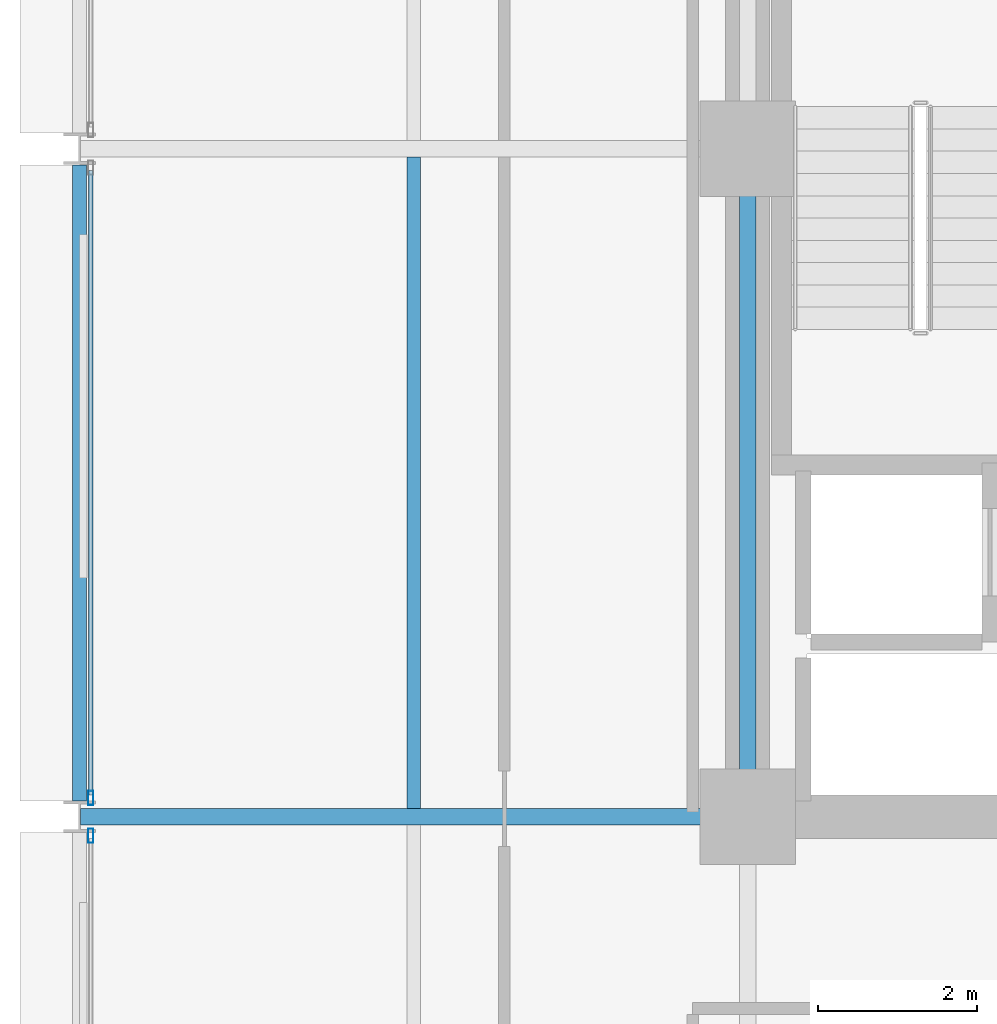
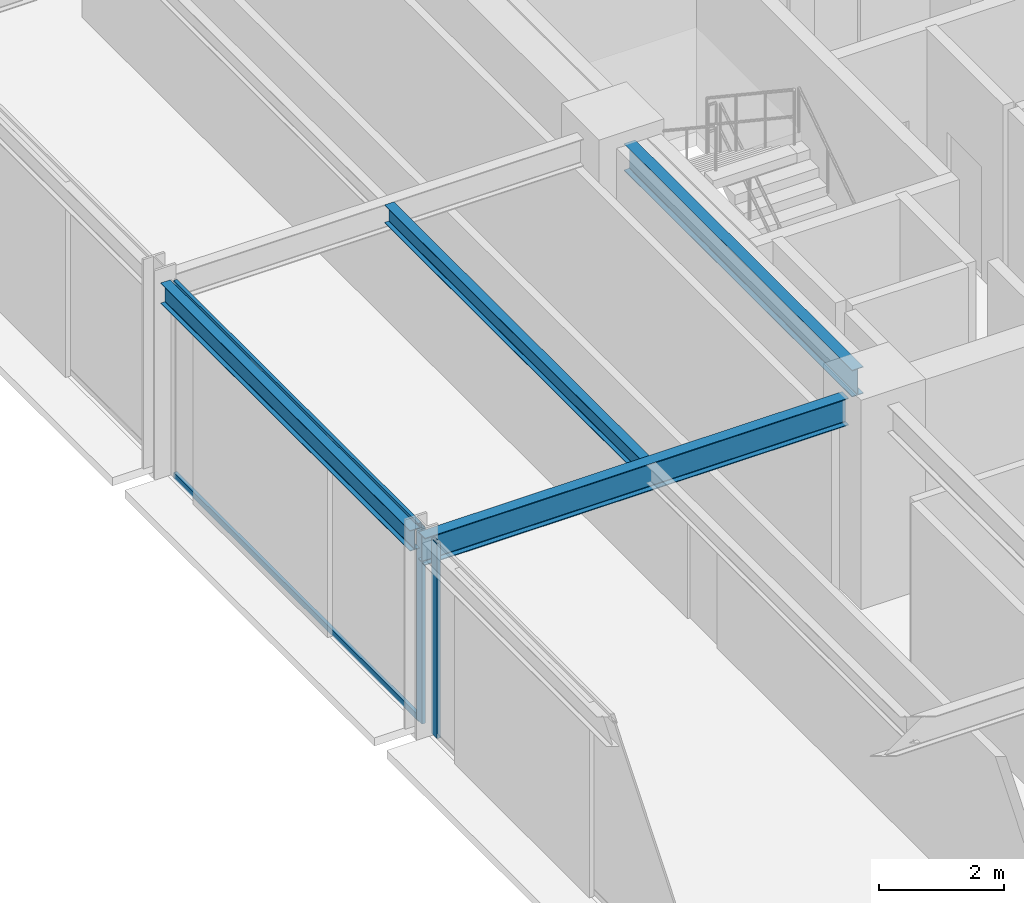
# One storey, part 13 of 39: 4 beams, 4 members, 2 elements without a shape of their own.
"""IFC4 building model written with IfcOpenShell, lengths in metres."""

from ifc_helpers import new_model, si_unit, direction, frame, origin, origin_2d, place, context, subcontext, project, spatial, hollow_rectangle, i_section, extrude, material, layer, layer_set, material_profile, profile_set, type_object, element, aggregate, save


model = new_model("IFC4")

# Units and contexts
model_context = context("Model", 3, precision=1e-05, world=origin(), true_north=direction((0.0, 1.0)))
body_context = subcontext(model_context, "Body", "Model", "MODEL_VIEW")
ifc_project = project(units=[si_unit("LENGTHUNIT", "METRE"), si_unit("AREAUNIT", "SQUARE_METRE"), si_unit("VOLUMEUNIT", "CUBIC_METRE"), si_unit("PLANEANGLEUNIT", "RADIAN"), si_unit("MASSUNIT", "GRAM", prefix="KILO")], contexts=[model_context])

# Site, building, storey
site_placement = place(None, origin())
site = spatial("IfcSite", under=ifc_project, at=site_placement, CompositionType="ELEMENT")
building_placement = place(site_placement, origin())
building = spatial("IfcBuilding", under=site, at=building_placement, Name="Nerrivon Quay Data Exchange", CompositionType="ELEMENT")
storey_placement = place(building_placement, frame((0.0, 0.0, 92.60009765625)))
storey = spatial("IfcBuildingStorey", under=building, at=storey_placement, Name="L21", CompositionType="ELEMENT", Elevation=92.60009765625)

# Beams
ifc_material_1 = material(Name="Steel Grade 350", Category="steel")
ifc_material_profile_1 = material_profile(ifc_material_1, i_section(OverallWidth=0.208984375, OverallDepth=0.532958984375, WebThickness=0.01025390625, FlangeThickness=0.015625, FilletRadius=0.013916015625, at=origin_2d()), Name="530UB92.4")
ifc_profile_set_1 = profile_set([ifc_material_profile_1], Name="Steel Grade 350")
beam_type_1 = type_object("IfcBeamType", Name="BM-G3-530UB92", PredefinedType="BEAM", material=ifc_profile_set_1)
beam_1_placement = place(storey_placement, frame((0.012451171875, 25.199951171875, 3.558349609375), z_axis=(1.0, 0.0, 0.0), x_axis=(0.0, 1.0, 0.0)))
element("IfcBeam", 1, at=beam_1_placement, inside=storey, type_object=beam_type_1, Name="L21 EW Girder Y=25.2 (0.0..8.4)", PredefinedType="BEAM", context=body_context, shape_type="SweptSolid", body=[
    extrude(i_section(OverallWidth=0.208984375, OverallDepth=0.532958984375, WebThickness=0.01025390625, FlangeThickness=0.015625, FilletRadius=0.013916015625, at=origin_2d()), origin(), (0.0, 0.0, 1.0), 7.84765625),
])
ifc_material_profile_2 = material_profile(ifc_material_1, i_section(OverallWidth=0.208984375, OverallDepth=0.528076171875, WebThickness=0.009521484375, FlangeThickness=0.01318359375, FilletRadius=0.013916015625, at=origin_2d()), Name="530UB82.0")
ifc_profile_set_2 = profile_set([ifc_material_profile_2], Name="Steel Grade 350")
beam_type_2 = type_object("IfcBeamType", Name="BM-G4-530UB82", PredefinedType="BEAM", material=ifc_profile_set_2)
beam_2_placement = place(storey_placement, frame((8.39990234375, 25.739990234375, 3.560791015625), z_axis=(0.0, 1.0, 0.0), x_axis=(-1.0, 0.0, 0.0)))
element("IfcBeam", 2, at=beam_2_placement, inside=storey, type_object=beam_type_2, Name="L21 NS Girder X=8.4 (25.2..33.6)", PredefinedType="BEAM", context=body_context, shape_type="SweptSolid", body=[
    extrude(i_section(OverallWidth=0.208984375, OverallDepth=0.528076171875, WebThickness=0.009521484375, FlangeThickness=0.01318359375, FilletRadius=0.013916015625, at=origin_2d()), origin(), (0.0, 0.0, 1.0), 7.320068359375),
])
ifc_material_profile_3 = material_profile(ifc_material_1, i_section(OverallWidth=0.1708984375, OverallDepth=0.35595703125, WebThickness=0.00732421875, FlangeThickness=0.011474609375, FilletRadius=0.011474609375, at=origin_2d()), Name="360UB50.7")
ifc_profile_set_3 = profile_set([ifc_material_profile_3], Name="Steel Grade 350")
beam_type_3 = type_object("IfcBeamType", Name="BM-J4-360UB51", PredefinedType="JOIST", material=ifc_profile_set_3)
beam_3_placement = place(storey_placement, frame((4.199951171875, 25.304443359375, 3.64697265625), z_axis=(0.0, 1.0, 0.0), x_axis=(-1.0, 0.0, 0.0)))
element("IfcBeam", 3, at=beam_3_placement, inside=storey, type_object=beam_type_3, Name="L21 Secondary Joist X=4.2 (25.2..33.6)", PredefinedType="JOIST", context=body_context, shape_type="SweptSolid", body=[
    extrude(i_section(OverallWidth=0.1708984375, OverallDepth=0.35595703125, WebThickness=0.00732421875, FlangeThickness=0.011474609375, FilletRadius=0.011474609375, at=origin_2d()), origin(), (0.0, 0.0, 1.0), 8.191162109375),
])
ifc_material_profile_4 = material_profile(ifc_material_1, i_section(OverallWidth=0.177978515625, OverallDepth=0.403076171875, WebThickness=0.007568359375, FlangeThickness=0.010986328125, FilletRadius=0.011474609375, at=origin_2d()), Name="410UB53.7")
ifc_profile_set_4 = profile_set([ifc_material_profile_4], Name="Steel Grade 350")
beam_type_4 = type_object("IfcBeamType", Name="BM-SP2-410UB54", PredefinedType="SPANDREL", material=ifc_profile_set_4)
beam_4_placement = place(storey_placement, frame((0.0, 25.39990234375, 3.623291015625), z_axis=(0.0, 1.0, 0.0), x_axis=(-1.0, 0.0, 0.0)))
element("IfcBeam", 4, at=beam_4_placement, inside=storey, type_object=beam_type_4, Name="L21 NS Girder X=0.0 (25.2..33.6)", PredefinedType="SPANDREL", context=body_context, shape_type="SweptSolid", body=[
    extrude(i_section(OverallWidth=0.177978515625, OverallDepth=0.403076171875, WebThickness=0.007568359375, FlangeThickness=0.010986328125, FilletRadius=0.011474609375, at=origin_2d()), origin(), (0.0, 0.0, 1.0), 8.0),
])

# Curtain wall, member
ifc_material_2 = material(Name="Anodised aluminium 6063-T6", Category="aluminium")
ifc_layer = layer(ifc_material_2, 0.2099609375)
ifc_layer_set = layer_set([ifc_layer], Name="Anodised aluminium 6063-T6")
curtain_wall_type = type_object("IfcCurtainWallType", Name="CW-SYS-02", PredefinedType="NOTDEFINED", material=ifc_layer_set)
curtain_wall_1_placement = place(storey_placement, origin())
curtain_wall_1 = element("IfcCurtainWall", 5, at=curtain_wall_1_placement, inside=storey, type_object=curtain_wall_type, Name="L21 Unitised Curtain Wall 19", PredefinedType="NOTDEFINED")
ifc_material_profile_5 = material_profile(ifc_material_2, hollow_rectangle(XDim=0.06494140625, YDim=0.179931640625, WallThickness=0.00341796875, at=origin_2d()), Name="ALU-MULL-180x65")
ifc_profile_set_5 = profile_set([ifc_material_profile_5], Name="Anodised aluminium 6063-T6")
member_type_1 = type_object("IfcMemberType", Name="CWM-180x65", PredefinedType="MULLION", material=ifc_profile_set_5)
member_1_placement = place(storey_placement, frame((0.139892578125, 24.96240234375, 0.0), z_axis=(0.0, 0.0, 1.0), x_axis=(-1.0, 0.0, 0.0)))
member_1 = element("IfcMember", 6, at=member_1_placement, type_object=member_type_1, Name="CW02 mullion 2", PredefinedType="MULLION", context=body_context, shape_type="SweptSolid", body=[
    extrude(hollow_rectangle(XDim=0.06494140625, YDim=0.179931640625, WallThickness=0.00341796875, at=origin_2d()), origin(), (0.0, 0.0, 1.0), 3.824951171875),
])
aggregate(curtain_wall_1, [member_1])

# Curtain wall, members
curtain_wall_2_placement = place(storey_placement, origin())
curtain_wall_2 = element("IfcCurtainWall", 7, at=curtain_wall_2_placement, inside=storey, type_object=curtain_wall_type, Name="L21 Unitised Curtain Wall 20", PredefinedType="NOTDEFINED")
member_2_placement = place(storey_placement, frame((0.139892578125, 25.4375, 0.0), z_axis=(0.0, 0.0, 1.0), x_axis=(-1.0, 0.0, 0.0)))
member_2 = element("IfcMember", 8, at=member_2_placement, type_object=member_type_1, Name="CW02 mullion 1", PredefinedType="MULLION", context=body_context, shape_type="SweptSolid", body=[
    extrude(hollow_rectangle(XDim=0.06494140625, YDim=0.179931640625, WallThickness=0.00341796875, at=origin_2d()), origin(), (0.0, 0.0, 1.0), 3.824951171875),
])
ifc_material_profile_6 = material_profile(ifc_material_2, hollow_rectangle(XDim=0.06005859375, YDim=0.1201171875, WallThickness=0.003173828125, at=origin_2d()), Name="ALU-TRAN-120x60")
ifc_profile_set_6 = profile_set([ifc_material_profile_6], Name="Anodised aluminium 6063-T6")
member_type_2 = type_object("IfcMemberType", Name="CWT-120x60", PredefinedType="USERDEFINED", material=ifc_profile_set_6)
member_3_placement = place(storey_placement, frame((0.139892578125, 25.47509765625, 0.032470703125), z_axis=(0.0, 1.0, 0.0), x_axis=(-1.0, 0.0, 0.0)))
member_3 = element("IfcMember", 9, at=member_3_placement, type_object=member_type_2, Name="CW02 transom 1.1", ObjectType="TRANSOM", PredefinedType="USERDEFINED", context=body_context, shape_type="SweptSolid", body=[
    extrude(hollow_rectangle(XDim=0.06005859375, YDim=0.1201171875, WallThickness=0.003173828125, at=origin_2d()), origin(), (0.0, 0.0, 1.0), 7.849853515625),
])
member_4_placement = place(storey_placement, frame((0.139892578125, 25.47509765625, 3.79248046875), z_axis=(0.0, 1.0, 0.0), x_axis=(-1.0, 0.0, 0.0)))
member_4 = element("IfcMember", 10, at=member_4_placement, type_object=member_type_2, Name="CW02 transom 1.2", ObjectType="TRANSOM", PredefinedType="USERDEFINED", context=body_context, shape_type="SweptSolid", body=[
    extrude(hollow_rectangle(XDim=0.06005859375, YDim=0.1201171875, WallThickness=0.003173828125, at=origin_2d()), origin(), (0.0, 0.0, 1.0), 7.849853515625),
])
aggregate(curtain_wall_2, [member_2, member_3, member_4])

save(model, "model.ifc")
